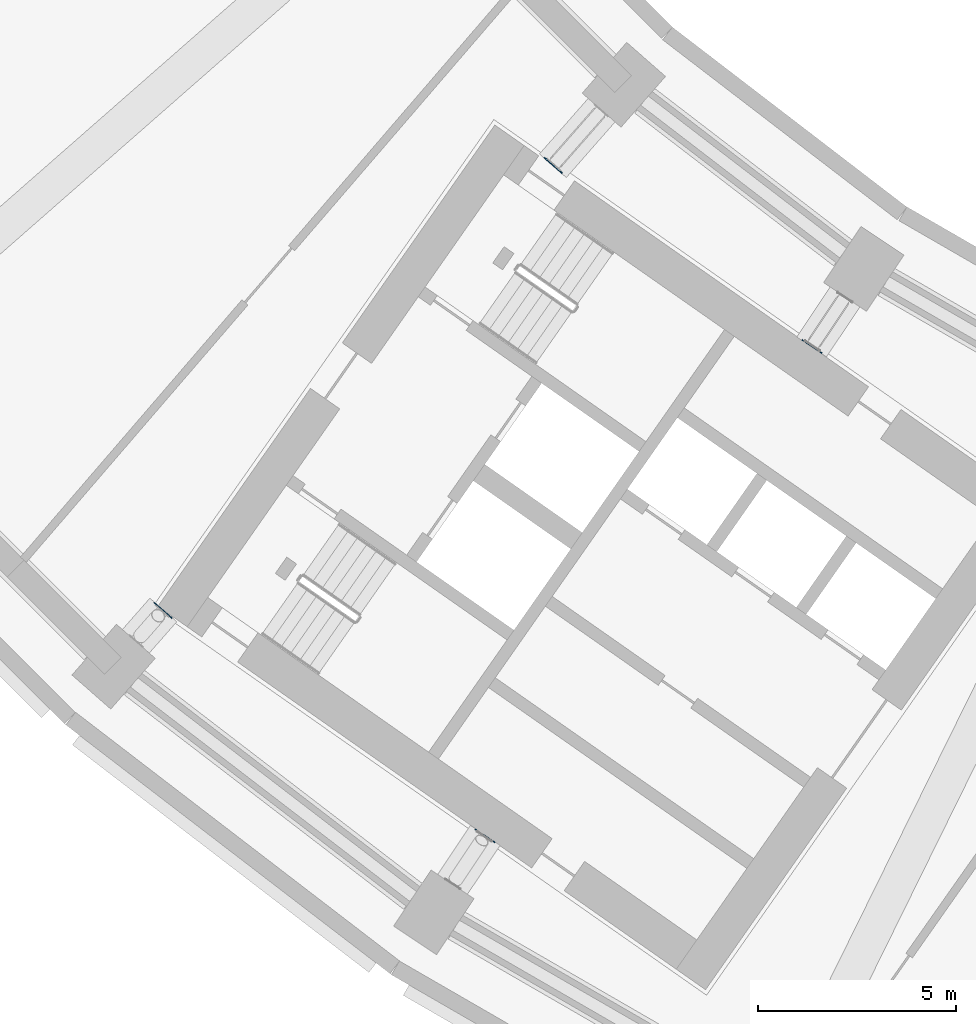
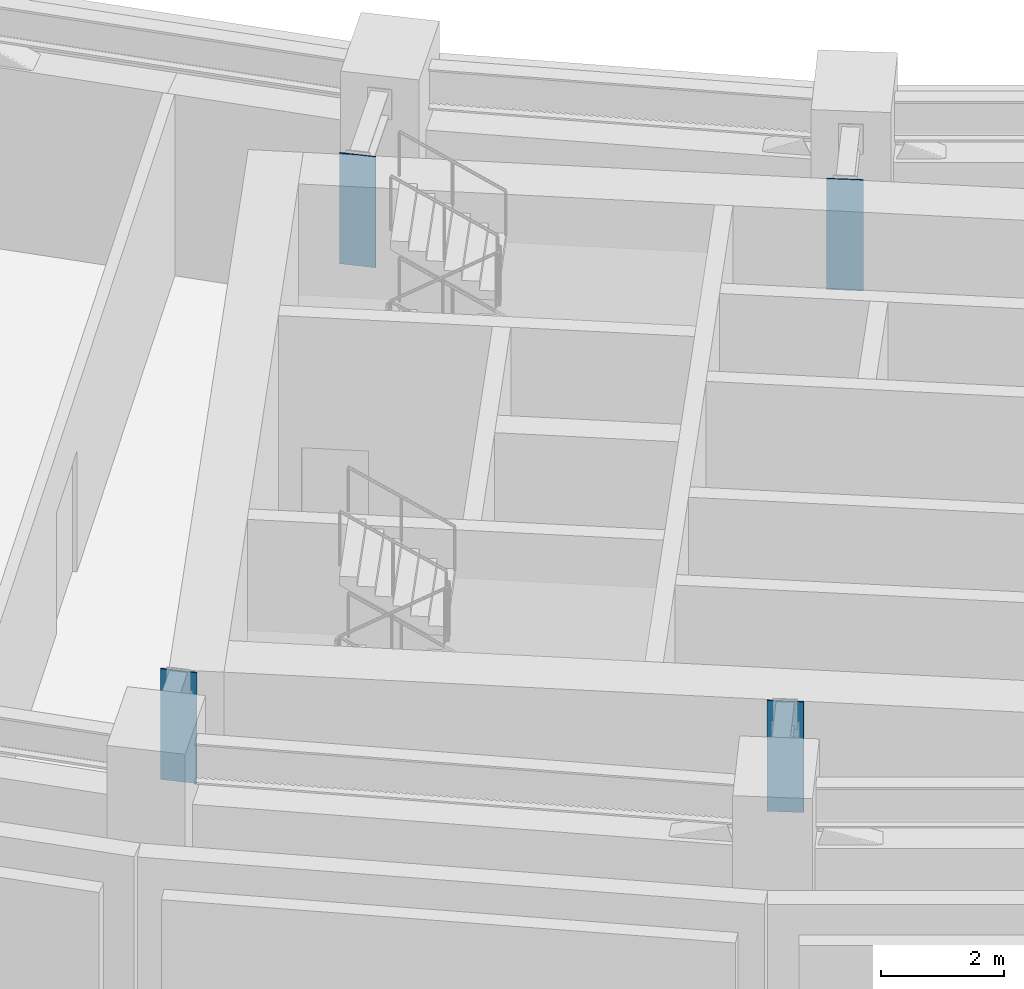
# One storey, part 9 of 25: 4 discrete accessories.
"""IFC4 building model written with IfcOpenShell, lengths in metres."""

from ifc_helpers import new_model, si_unit, direction, frame, origin, origin_2d, place, context, subcontext, project, spatial, rectangle, extrude, material, layer, layer_set, type_object, element, save


model = new_model("IFC4")

# Units and contexts
model_context = context("Model", 3, precision=1e-05, world=origin(), true_north=direction((0.0, 1.0)))
body_context = subcontext(model_context, "Body", "Model", "MODEL_VIEW")
ifc_project = project(units=[si_unit("LENGTHUNIT", "METRE"), si_unit("AREAUNIT", "SQUARE_METRE"), si_unit("VOLUMEUNIT", "CUBIC_METRE"), si_unit("PLANEANGLEUNIT", "RADIAN"), si_unit("MASSUNIT", "GRAM", prefix="KILO")], contexts=[model_context])

# Site, building, storey
site_placement = place(None, origin())
site = spatial("IfcSite", under=ifc_project, at=site_placement, CompositionType="ELEMENT")
building_placement = place(site_placement, origin())
building = spatial("IfcBuilding", under=site, at=building_placement, Name="Qamariyya Broadcast Tower", CompositionType="ELEMENT")
storey_placement = place(building_placement, frame((0.0, 0.0, 89.89990234375)))
storey = spatial("IfcBuildingStorey", under=building, at=storey_placement, Name="L19", CompositionType="ELEMENT", Elevation=89.89990234375)

# Discrete accessories
ifc_material = material(Name="Steel S355", Category="steel")
ifc_layer = layer(ifc_material, 0.02490234375)
ifc_layer_set = layer_set([ifc_layer], Name="Cast-in plate 25 Steel S355")
discrete_accessory_type = type_object("IfcDiscreteAccessoryType", Name="Cast-in plate 25 Steel S355", PredefinedType="ANCHORPLATE", material=ifc_layer_set)
for number, where, z_axis, x_axis, name in (
    (1, (-40.18701171875, -45.824462890625, 2.5), (0.0, 0.0, 1.0), (-0.751839807479, 0.6593458151, 0.0), "Cast-in plate CP1 L19 R05"),
    (2, (-50.020263671875, -57.037109375, 2.5), (0.0, 0.0, 1.0), (-0.751839807479, 0.6593458151, 0.0), "Cast-in plate CP1 L19 R05"),
    (3, (-33.668701171875, -50.388671875, 2.5), (0.0, 0.0, 1.0), (-0.831469612303, 0.55557023302, 0.0), "Cast-in plate CP1 L19 R06"),
    (4, (-41.906982421875, -62.718017578125, 2.5), (0.0, 0.0, 1.0), (-0.831469612303, 0.55557023302, 0.0), "Cast-in plate CP1 L19 R06"),
):
    element("IfcDiscreteAccessory", number, at=place(storey_placement, frame(where, z_axis=z_axis, x_axis=x_axis)), inside=storey, type_object=discrete_accessory_type, Name=name, PredefinedType="ANCHORPLATE", context=body_context, shape_type="SweptSolid", body=[
        extrude(rectangle(XDim=0.60009765625, YDim=0.02490234375, at=origin_2d()), origin(), (0.0, 0.0, 1.0), 2.199951171875),
    ])

save(model, "model.ifc")
